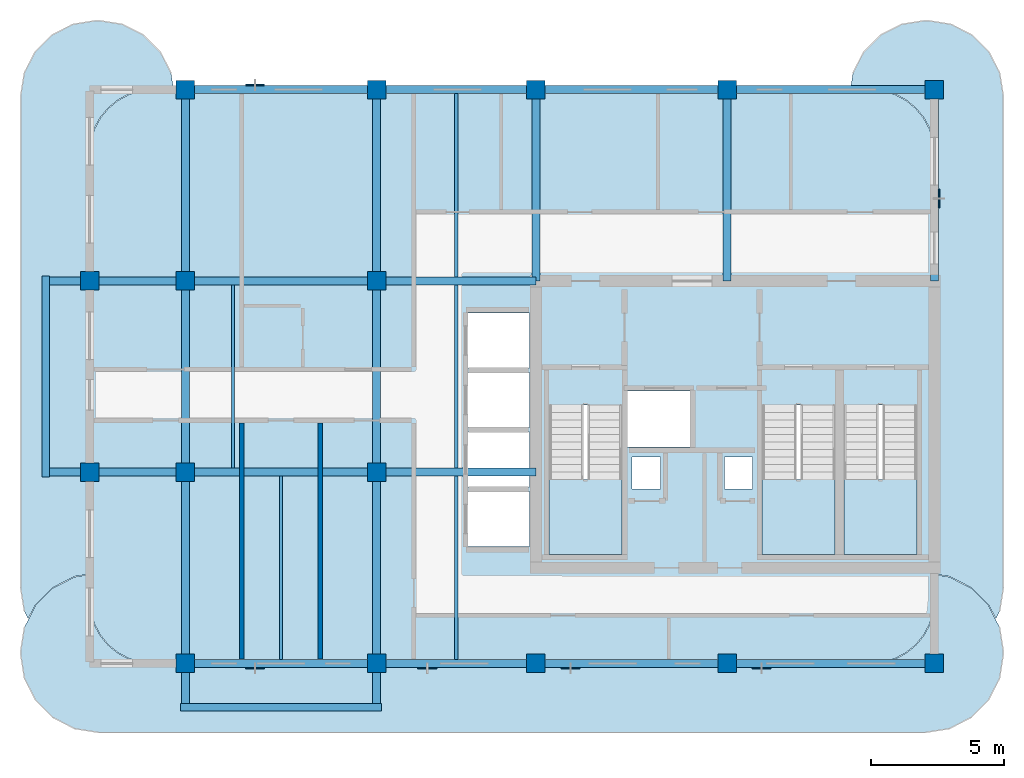
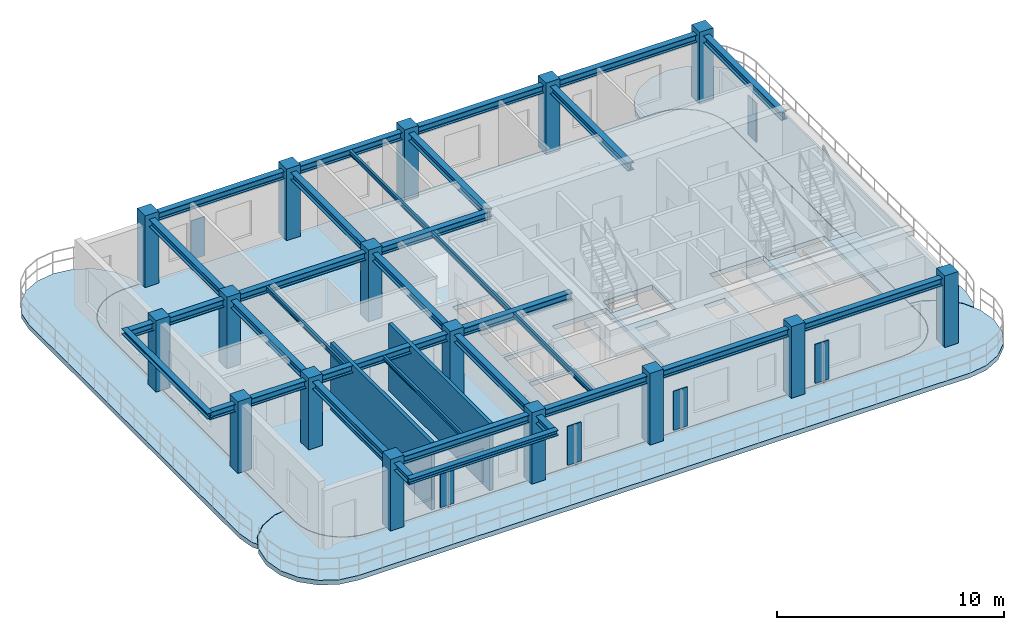
# One storey, part 1 of 8: 28 beams, 16 columns, 7 slabs, 6 plates, 2 walls, 3 elements without a shape of their own.
"""IFC4 building model written with IfcOpenShell, lengths in metres."""

import ifcopenshell
import ifcopenshell.guid

model = None  # the IFC model being written
_history = None  # IfcOwnerHistory: only IFC2X3 demands one
_inside = {}  # id of a spatial element -> (the spatial element, [elements in it])
_under = {}  # id of a project, library or spatial element -> (it, [spatial elements below it])
_declared = {}  # id of a project -> (the project, [libraries it declares])
_typed = {}  # id of a type object -> (the type object, [elements of that type])
_made_of = {}  # id of a material, layer set ... -> (it, [elements and type objects made of it])


def new_model(schema):
    """Start an empty IFC model of exactly this schema.

    Asked for "IFC4X3", IfcOpenShell would pick the latest addendum, in which some entities
    have other attributes; the version numbers below select the first issue.
    IFC2X3 requires an IfcOwnerHistory on every rooted entity: one is made here for all.
    """
    global model, _history
    if schema == "IFC4X3":
        model = ifcopenshell.file(schema_version=(4, 3, 0, 0))
    else:
        model = ifcopenshell.file(schema=schema)
    _inside.clear()
    _under.clear()
    _declared.clear()
    _typed.clear()
    _made_of.clear()
    _history = None
    if model.schema == "IFC2X3":
        org = make("IfcOrganization", Name="unknown")
        user = make(
            "IfcPersonAndOrganization",
            ThePerson=make("IfcPerson", FamilyName="unknown"),
            TheOrganization=org,
        )
        app = make(
            "IfcApplication",
            ApplicationDeveloper=org,
            Version="unknown",
            ApplicationFullName="unknown",
            ApplicationIdentifier="unknown",
        )
        _history = make(
            "IfcOwnerHistory",
            OwningUser=user,
            OwningApplication=app,
            ChangeAction="ADDED",
            CreationDate=0,
        )
    return model


def make(cls, **values):
    """One entity of the class cls with the attributes given. An attribute that is None is left unset."""
    return model.create_entity(
        cls, **{name: value for name, value in values.items() if value is not None}
    )


def rooted(cls, **values):
    """An entity with a GlobalId (a new one), such as an element, a storey or a relation."""
    return make(cls, GlobalId=ifcopenshell.guid.new(), OwnerHistory=_history, **values)


def si_unit(unit_type, name, prefix=None):
    """IfcSIUnit, for example si_unit("LENGTHUNIT", "METRE", prefix="MILLI")."""
    return make("IfcSIUnit", UnitType=unit_type, Prefix=prefix, Name=name)


def derived_unit(unit_type, elements):
    """IfcDerivedUnit: a product of units, each with its exponent."""
    return make(
        "IfcDerivedUnit",
        Elements=[
            make("IfcDerivedUnitElement", Unit=unit, Exponent=power)
            for unit, power in elements
        ],
        UnitType=unit_type,
    )


def assignment(units):
    """IfcUnitAssignment: the units of a project."""
    return None if units is None else make("IfcUnitAssignment", Units=units)


def point(xyz):
    """IfcCartesianPoint."""
    return None if xyz is None else make("IfcCartesianPoint", Coordinates=xyz)


def direction(xyz):
    """IfcDirection."""
    return None if xyz is None else make("IfcDirection", DirectionRatios=xyz)


def frame(location, z_axis=None, x_axis=None):
    """IfcAxis2Placement3D, a coordinate frame: its origin and axes. An axis left out is left unset."""
    return make(
        "IfcAxis2Placement3D",
        Location=point(location),
        Axis=direction(z_axis),
        RefDirection=direction(x_axis),
    )


def frame_2d(location, x_axis=None):
    """IfcAxis2Placement2D, a coordinate frame in the plane: its origin and x axis."""
    return make(
        "IfcAxis2Placement2D", Location=point(location), RefDirection=direction(x_axis)
    )


def origin():
    """The frame at (0, 0, 0) with its axes left unset."""
    return frame((0.0, 0.0, 0.0))


def origin_2d():
    """The frame at (0, 0) in the plane with its x axis left unset."""
    return frame_2d((0.0, 0.0))


def place(relative_to, where):
    """IfcLocalPlacement: puts the frame where relative to a parent placement (None: the world)."""
    return make(
        "IfcLocalPlacement", PlacementRelTo=relative_to, RelativePlacement=where
    )


def context(
    kind, dimensions, precision=None, world=None, true_north=None, identifier=None
):
    """IfcGeometricRepresentationContext, for example the 3D "Model" context."""
    return make(
        "IfcGeometricRepresentationContext",
        ContextIdentifier=identifier,
        ContextType=kind,
        CoordinateSpaceDimension=dimensions,
        Precision=precision,
        WorldCoordinateSystem=world,
        TrueNorth=true_north,
    )


def subcontext(parent, identifier, kind, view, scale=None):
    """IfcGeometricRepresentationSubContext, for example "Body" below "Model"."""
    return make(
        "IfcGeometricRepresentationSubContext",
        ContextIdentifier=identifier,
        ContextType=kind,
        ParentContext=parent,
        TargetScale=scale,
        TargetView=view,
    )


def project(units=None, contexts=None):
    """IfcProject with its units and contexts."""
    return rooted(
        "IfcProject",
        Name="project",
        RepresentationContexts=contexts,
        UnitsInContext=assignment(units),
    )


def spatial(cls, under=None, at=None, **own):
    """A site, building, storey or space (cls), placed at a placement, below another one or the project."""
    s = rooted(cls, ObjectPlacement=at, **own)
    if under is not None:
        _under.setdefault(under.id(), (under, []))[1].append(s)
    return s


def polyline(points):
    """IfcPolyline through the points."""
    return make("IfcPolyline", Points=[point(p) for p in points])


def profile(cls, at=None, kind="AREA", **sizes):
    """A parametric profile (cls). Its sizes go by their IFC names, for example OverallWidth=200.0."""
    return make(cls, ProfileType=kind, Position=at, **sizes)


def rectangle(**sizes):
    """IfcRectangleProfileDef."""
    return profile("IfcRectangleProfileDef", **sizes)


def i_section(**sizes):
    """IfcIShapeProfileDef."""
    return profile("IfcIShapeProfileDef", **sizes)


def outline(outer, holes=None, kind="AREA"):
    """IfcArbitraryClosedProfileDef: a profile drawn as a closed curve; with holes, ...WithVoids."""
    if holes is None:
        return make("IfcArbitraryClosedProfileDef", ProfileType=kind, OuterCurve=outer)
    return make(
        "IfcArbitraryProfileDefWithVoids",
        ProfileType=kind,
        OuterCurve=outer,
        InnerCurves=holes,
    )


def extrude(swept, where, along, depth):
    """IfcExtrudedAreaSolid: the profile swept, set in the frame where, extruded along a direction by depth."""
    return make(
        "IfcExtrudedAreaSolid",
        SweptArea=swept,
        Position=where,
        ExtrudedDirection=direction(along),
        Depth=depth,
    )


def shape(context_of_items, identifier, shape_type, items):
    """IfcShapeRepresentation: the items that make up one representation, for example the "Body"."""
    return make(
        "IfcShapeRepresentation",
        ContextOfItems=context_of_items,
        RepresentationIdentifier=identifier,
        RepresentationType=shape_type,
        Items=items,
    )


def source(mapping_origin, context_of_items, identifier, shape_type, items):
    """IfcRepresentationMap: a shape defined once, which mapped items show again and again."""
    return make(
        "IfcRepresentationMap",
        MappingOrigin=mapping_origin,
        MappedRepresentation=shape(context_of_items, identifier, shape_type, items),
    )


def transform(
    local_origin,
    x_axis=None,
    y_axis=None,
    z_axis=None,
    scale=None,
    scale2=None,
    scale3=None,
    uniform=True,
):
    """IfcCartesianTransformationOperator3D, or its non-uniform kind. x_axis, y_axis, z_axis: its Axis1, 2, 3."""
    if uniform:
        return make(
            "IfcCartesianTransformationOperator3D",
            Axis1=direction(x_axis),
            Axis2=direction(y_axis),
            LocalOrigin=point(local_origin),
            Scale=scale,
            Axis3=direction(z_axis),
        )
    return make(
        "IfcCartesianTransformationOperator3DnonUniform",
        Axis1=direction(x_axis),
        Axis2=direction(y_axis),
        LocalOrigin=point(local_origin),
        Scale=scale,
        Axis3=direction(z_axis),
        Scale2=scale2,
        Scale3=scale3,
    )


def mapped(mapping_source, mapping_target):
    """IfcMappedItem: shows the shape of a source again, moved by a transform."""
    return make(
        "IfcMappedItem", MappingSource=mapping_source, MappingTarget=mapping_target
    )


def material(Name=None, Category=None):
    """IfcMaterial."""
    return make("IfcMaterial", Name=Name, Category=Category)


def layer(
    of_material, thickness, ventilated=None, Name=None, Category=None, Priority=None
):
    """IfcMaterialLayer: one layer of a wall or slab, of a material (None: an air gap)."""
    return make(
        "IfcMaterialLayer",
        Material=of_material,
        LayerThickness=thickness,
        IsVentilated=ventilated,
        Name=Name,
        Category=Category,
        Priority=Priority,
    )


def layer_set(layers, Name=None):
    """IfcMaterialLayerSet."""
    return make("IfcMaterialLayerSet", MaterialLayers=layers, LayerSetName=Name)


def material_profile(
    of_material, cross_section, Name=None, Category=None, Priority=None
):
    """IfcMaterialProfile: a cross section and its material."""
    return make(
        "IfcMaterialProfile",
        Name=Name,
        Material=of_material,
        Profile=cross_section,
        Priority=Priority,
        Category=Category,
    )


def profile_set(profiles, Name=None, composite=None):
    """IfcMaterialProfileSet."""
    return make(
        "IfcMaterialProfileSet",
        Name=Name,
        MaterialProfiles=profiles,
        CompositeProfile=composite,
    )


def made_of(thing, what):
    """Note that an element or type object is made of a material, layer set ...; save() writes the relation."""
    if what is not None:
        _made_of.setdefault(what.id(), (what, []))[1].append(thing)
    return thing


def type_object(cls, material=None, **own):
    """A type object (cls), such as IfcWallType, which elements share."""
    return made_of(rooted(cls, **own), material)


def type_shapes(of_type, sources):
    """Give a type object the sources (RepresentationMaps) that its elements show as mapped items."""
    of_type.RepresentationMaps = sources


def element(
    cls,
    number,
    at=None,
    inside=None,
    cuts=None,
    type_object=None,
    material=None,
    context=None,
    identifier="Body",
    shape_type=None,
    held_by="IfcProductDefinitionShape",
    body=None,
    shapes=None,
    **own,
):
    """One element of the class cls, such as IfcWall. Its Tag is "e" and its number.

    at: its placement. inside: the storey or other place that contains it. cuts: it is an
    opening in that element (IfcRelVoidsElement). A single representation is given by context,
    identifier, shape_type and body (its items); several are given by shapes. held_by: the class
    of the entity that holds the representations. save() writes the other relations.
    """
    e = rooted(cls, Tag="e%d" % number, ObjectPlacement=at, **own)
    if body is not None:
        shapes = [shape(context, identifier, shape_type, body)]
    if shapes is not None:
        e.Representation = make(held_by, Representations=shapes)
    if inside is not None:
        _inside.setdefault(inside.id(), (inside, []))[1].append(e)
    if cuts is not None:
        rooted(
            "IfcRelVoidsElement", RelatingBuildingElement=cuts, RelatedOpeningElement=e
        )
    if type_object is not None:
        _typed.setdefault(type_object.id(), (type_object, []))[1].append(e)
    return made_of(e, material)


def aggregate(whole, parts):
    """IfcRelAggregates: a whole, such as a stair, and the parts it consists of."""
    return rooted("IfcRelAggregates", RelatingObject=whole, RelatedObjects=parts)


def save(model, path):
    """Write the relations noted so far, then the file.

    IfcRelAggregates (storeys below a building ...), IfcRelContainedInSpatialStructure (elements
    in a storey), IfcRelDefinesByType, IfcRelAssociatesMaterial and IfcRelDeclares: one each for
    every whole, place, type object, material and project.
    """
    for whole, parts in _under.values():
        aggregate(whole, parts)
    for where, things in _inside.values():
        rooted(
            "IfcRelContainedInSpatialStructure",
            RelatedElements=things,
            RelatingStructure=where,
        )
    for kind, things in _typed.values():
        rooted("IfcRelDefinesByType", RelatedObjects=things, RelatingType=kind)
    for what, things in _made_of.values():
        rooted("IfcRelAssociatesMaterial", RelatedObjects=things, RelatingMaterial=what)
    for by, libraries in _declared.values():
        rooted("IfcRelDeclares", RelatingContext=by, RelatedDefinitions=libraries)
    model.write(path)


model = new_model("IFC4")

# Units and contexts
model_context = context("Model", 3, precision=1e-05, world=origin(), true_north=direction((0.0, 1.0)))
body_context = subcontext(model_context, "Body", "Model", "MODEL_VIEW")
ifc_project = project(units=[si_unit("LENGTHUNIT", "METRE"), si_unit("AREAUNIT", "SQUARE_METRE"), si_unit("VOLUMEUNIT", "CUBIC_METRE"), si_unit("PLANEANGLEUNIT", "RADIAN"), si_unit("MASSUNIT", "GRAM", prefix="KILO"), si_unit("THERMODYNAMICTEMPERATUREUNIT", "KELVIN"), si_unit("POWERUNIT", "WATT"), derived_unit("THERMALTRANSMITTANCEUNIT", [(si_unit("POWERUNIT", "WATT"), 1), (si_unit("AREAUNIT", "SQUARE_METRE"), -1), (si_unit("THERMODYNAMICTEMPERATUREUNIT", "KELVIN"), -1)])], contexts=[model_context])

# Site, building, storey
site_placement = place(None, origin())
site = spatial("IfcSite", under=ifc_project, at=site_placement, CompositionType="ELEMENT")
building_placement = place(site_placement, origin())
building = spatial("IfcBuilding", under=site, at=building_placement, Name="Zahravan Archway Hotel and Residences", CompositionType="ELEMENT")
storey_placement = place(building_placement, frame((0.0, 0.0, 286.60009765625)))
storey = spatial("IfcBuildingStorey", under=building, at=storey_placement, Name="L72", CompositionType="ELEMENT", Elevation=286.60009765625)

# Columns
ifc_material_1 = material(Name="Concrete C50/60", Category="concrete")
ifc_material_profile_1 = material_profile(ifc_material_1, rectangle(XDim=0.699951171875, YDim=0.699951171875, at=origin_2d()), Name="RC-COL-700x700", Category="concrete")
ifc_profile_set_1 = profile_set([ifc_material_profile_1], Name="Concrete C50/60")
column_type = type_object("IfcColumnType", Name="COL-RC-700", PredefinedType="COLUMN", material=ifc_profile_set_1)
shared_shape_1 = source(origin(), body_context, "Body", "SweptSolid", [
    extrude(rectangle(XDim=0.699951171875, YDim=0.699951171875, at=origin_2d()), origin(), (0.0, 0.0, 1.0), 3.849853515625),
])
type_shapes(column_type, [shared_shape_1])
for number, where, z_axis, x_axis, name in (
    (1, (21.60009765625, 0.0, 0.0), (0.0, 0.0, 1.0), (1.0, 0.0, 0.0), "L72 Column 4-A"),
    (2, (21.60009765625, 7.199951171875, 0.0), (0.0, 0.0, 1.0), (1.0, 0.0, 0.0), "L72 Column 4-B"),
    (3, (21.60009765625, 14.39990234375, 0.0), (0.0, 0.0, 1.0), (1.0, 0.0, 0.0), "L72 Column 4-C"),
    (4, (21.60009765625, 21.60009765625, 0.0), (0.0, 0.0, 1.0), (1.0, 0.0, 0.0), "L72 Column 4-D"),
    (5, (28.800048828125, 0.0, 0.0), (0.0, 0.0, 1.0), (1.0, 0.0, 0.0), "L72 Column 5-A"),
    (6, (28.800048828125, 7.199951171875, 0.0), (0.0, 0.0, 1.0), (1.0, 0.0, 0.0), "L72 Column 5-B"),
    (7, (28.800048828125, 14.39990234375, 0.0), (0.0, 0.0, 1.0), (1.0, 0.0, 0.0), "L72 Column 5-C"),
    (8, (28.800048828125, 21.60009765625, 0.0), (0.0, 0.0, 1.0), (1.0, 0.0, 0.0), "L72 Column 5-D"),
    (9, (34.800048828125, 0.0, 0.0), (0.0, 0.0, 1.0), (1.0, 0.0, 0.0), "L72 Column 6-A"),
    (10, (34.800048828125, 21.60009765625, 0.0), (0.0, 0.0, 1.0), (1.0, 0.0, 0.0), "L72 Column 6-D"),
    (11, (42.0, 0.0, 0.0), (0.0, 0.0, 1.0), (1.0, 0.0, 0.0), "L72 Column 7-A"),
    (12, (42.0, 21.60009765625, 0.0), (0.0, 0.0, 1.0), (1.0, 0.0, 0.0), "L72 Column 7-D"),
    (13, (49.800048828125, 0.0, 0.0), (0.0, 0.0, 1.0), (1.0, 0.0, 0.0), "L72 Column 8-A"),
    (14, (49.800048828125, 21.60009765625, 0.0), (0.0, 0.0, 1.0), (1.0, 0.0, 0.0), "L72 Column 8-D"),
    (15, (18.0, 7.199951171875, 0.0), (0.0, 0.0, 1.0), (1.0, 0.0, 0.0), "L72 Column 3W-B"),
    (16, (18.0, 14.39990234375, 0.0), (0.0, 0.0, 1.0), (1.0, 0.0, 0.0), "L72 Column 3W-C"),
):
    element("IfcColumn", number, at=place(storey_placement, frame(where, z_axis=z_axis, x_axis=x_axis)), inside=storey, type_object=column_type, Name=name, PredefinedType="COLUMN", context=body_context, shape_type="MappedRepresentation", body=[
        mapped(shared_shape_1, transform((0.0, 0.0, 0.0), scale=1.0)),
    ])

# Beams
ifc_material_2 = material(Name="Structural Steel S355JR", Category="steel")
ifc_material_profile_2 = material_profile(ifc_material_2, i_section(OverallWidth=0.280029296875, OverallDepth=0.280029296875, WebThickness=0.010498046875, FlangeThickness=0.01806640625, FilletRadius=0.02392578125, at=origin_2d()), Name="HEB 280", Category="steel")
ifc_profile_set_2 = profile_set([ifc_material_profile_2], Name="Structural Steel S355JR")
beam_type_1 = type_object("IfcBeamType", Name="BM-SPN-HEB280", PredefinedType="SPANDREL", material=ifc_profile_set_2)
shared_shape_2 = source(origin(), body_context, "Body", "SweptSolid", [
    extrude(i_section(OverallWidth=0.280029296875, OverallDepth=0.280029296875, WebThickness=0.010498046875, FlangeThickness=0.01806640625, FilletRadius=0.02392578125, at=origin_2d()), origin(), (0.0, 0.0, 1.0), 7.56005859375),
])
type_shapes(beam_type_1, [shared_shape_2])
for number, where, z_axis, x_axis, name in (
    (17, (16.35009765625, 7.02001953125, 3.4599609375), (0.0, 1.0, 0.0), (-1.0, 0.0, 0.0), "L73 WA Balcony Edge Spandrel"),
    (18, (21.419921875, -1.64990234375, 3.4599609375), (1.0, 0.0, 0.0), (0.0, 1.0, 0.0), "L73 SA Balcony Edge Spandrel"),
):
    element("IfcBeam", number, at=place(storey_placement, frame(where, z_axis=z_axis, x_axis=x_axis)), inside=storey, type_object=beam_type_1, Name=name, PredefinedType="SPANDREL", context=body_context, shape_type="MappedRepresentation", body=[
        mapped(shared_shape_2, transform((0.0, 0.0, 0.0), scale=1.0)),
    ])
ifc_material_profile_3 = material_profile(ifc_material_2, i_section(OverallWidth=0.300048828125, OverallDepth=0.39990234375, WebThickness=0.013427734375, FlangeThickness=0.02392578125, FilletRadius=0.027099609375, at=origin_2d()), Name="HEB 400", Category="steel")
ifc_profile_set_3 = profile_set([ifc_material_profile_3], Name="Structural Steel S355JR")
beam_type_2 = type_object("IfcBeamType", Name="BM-PRI-HEB400", PredefinedType="BEAM", material=ifc_profile_set_3)
shared_shape_3 = source(origin(), body_context, "Body", "SweptSolid", [
    extrude(i_section(OverallWidth=0.300048828125, OverallDepth=0.39990234375, WebThickness=0.013427734375, FlangeThickness=0.02392578125, FilletRadius=0.027099609375, at=origin_2d()), origin(), (0.0, 0.0, 1.0), 7.199951171875),
])
type_shapes(beam_type_2, [shared_shape_3])
for number, where, z_axis, x_axis, name in (
    (19, (21.60009765625, 0.0, 3.39990234375), (1.0, 0.0, 0.0), (0.0, 1.0, 0.0), "L72 Primary Girder EW-01"),
    (20, (34.800048828125, 0.0, 3.39990234375), (1.0, 0.0, 0.0), (0.0, 1.0, 0.0), "L72 Primary Girder EW-03"),
    (21, (21.60009765625, 21.60009765625, 3.39990234375), (1.0, 0.0, 0.0), (0.0, 1.0, 0.0), "L72 Primary Girder EW-09"),
    (22, (34.800048828125, 21.60009765625, 3.39990234375), (1.0, 0.0, 0.0), (0.0, 1.0, 0.0), "L72 Primary Girder EW-11"),
    (23, (21.60009765625, 7.199951171875, 3.39990234375), (0.0, 1.0, 0.0), (-1.0, 0.0, 0.0), "L72 Primary Girder NS-14"),
    (24, (28.800048828125, 7.199951171875, 3.39990234375), (0.0, 1.0, 0.0), (-1.0, 0.0, 0.0), "L72 Primary Girder NS-17"),
):
    element("IfcBeam", number, at=place(storey_placement, frame(where, z_axis=z_axis, x_axis=x_axis)), inside=storey, type_object=beam_type_2, Name=name, PredefinedType="BEAM", context=body_context, shape_type="MappedRepresentation", body=[
        mapped(shared_shape_3, transform((0.0, 0.0, 0.0), scale=1.0)),
    ])
shared_shape_4 = source(origin(), body_context, "Body", "SweptSolid", [
    extrude(i_section(OverallWidth=0.300048828125, OverallDepth=0.39990234375, WebThickness=0.013427734375, FlangeThickness=0.02392578125, FilletRadius=0.027099609375, at=origin_2d()), origin(), (0.0, 0.0, 1.0), 6.0),
])
for number, where, z_axis, x_axis, name in (
    (25, (28.800048828125, 0.0, 3.39990234375), (1.0, 0.0, 0.0), (0.0, 1.0, 0.0), "L72 Primary Girder EW-02"),
    (26, (28.800048828125, 7.199951171875, 3.39990234375), (1.0, 0.0, 0.0), (0.0, 1.0, 0.0), "L72 Primary Girder EW-06"),
    (27, (28.800048828125, 14.39990234375, 3.39990234375), (1.0, 0.0, 0.0), (0.0, 1.0, 0.0), "L72 Primary Girder EW-08"),
    (28, (28.800048828125, 21.60009765625, 3.39990234375), (1.0, 0.0, 0.0), (0.0, 1.0, 0.0), "L72 Primary Girder EW-10"),
):
    element("IfcBeam", number, at=place(storey_placement, frame(where, z_axis=z_axis, x_axis=x_axis)), inside=storey, type_object=beam_type_2, Name=name, PredefinedType="BEAM", context=body_context, shape_type="MappedRepresentation", body=[
        mapped(shared_shape_4, transform((0.0, 0.0, 0.0), scale=1.0)),
    ])
shared_shape_5 = source(origin(), body_context, "Body", "SweptSolid", [
    extrude(i_section(OverallWidth=0.300048828125, OverallDepth=0.39990234375, WebThickness=0.013427734375, FlangeThickness=0.02392578125, FilletRadius=0.027099609375, at=origin_2d()), origin(), (0.0, 0.0, 1.0), 7.800048828125),
])
for number, where, z_axis, x_axis, name in (
    (29, (42.0, 0.0, 3.39990234375), (1.0, 0.0, 0.0), (0.0, 1.0, 0.0), "L72 Primary Girder EW-04"),
    (30, (42.0, 21.60009765625, 3.39990234375), (1.0, 0.0, 0.0), (0.0, 1.0, 0.0), "L72 Primary Girder EW-12"),
):
    element("IfcBeam", number, at=place(storey_placement, frame(where, z_axis=z_axis, x_axis=x_axis)), inside=storey, type_object=beam_type_2, Name=name, PredefinedType="BEAM", context=body_context, shape_type="MappedRepresentation", body=[
        mapped(shared_shape_5, transform((0.0, 0.0, 0.0), scale=1.0)),
    ])
shared_shape_6 = source(origin(), body_context, "Body", "SweptSolid", [
    extrude(i_section(OverallWidth=0.300048828125, OverallDepth=0.39990234375, WebThickness=0.013427734375, FlangeThickness=0.02392578125, FilletRadius=0.027099609375, at=origin_2d()), origin(), (0.0, 0.0, 1.0), 7.2001953125),
])
for number, where, z_axis, x_axis, name in (
    (31, (21.60009765625, 14.39990234375, 3.39990234375), (0.0, 1.0, 0.0), (-1.0, 0.0, 0.0), "L72 Primary Girder NS-15"),
    (32, (28.800048828125, 14.39990234375, 3.39990234375), (0.0, 1.0, 0.0), (-1.0, 0.0, 0.0), "L72 Primary Girder NS-18"),
    (33, (34.800048828125, 14.39990234375, 3.39990234375), (0.0, 1.0, 0.0), (-1.0, 0.0, 0.0), "L72 Primary Girder NS-19"),
    (34, (42.0, 14.39990234375, 3.39990234375), (0.0, 1.0, 0.0), (-1.0, 0.0, 0.0), "L72 Primary Girder NS-20"),
    (35, (49.800048828125, 14.39990234375, 3.39990234375), (0.0, 1.0, 0.0), (-1.0, 0.0, 0.0), "L72 Primary Girder NS-21"),
):
    element("IfcBeam", number, at=place(storey_placement, frame(where, z_axis=z_axis, x_axis=x_axis)), inside=storey, type_object=beam_type_2, Name=name, PredefinedType="BEAM", context=body_context, shape_type="MappedRepresentation", body=[
        mapped(shared_shape_6, transform((0.0, 0.0, 0.0), scale=1.0)),
    ])
ifc_material_profile_4 = material_profile(ifc_material_2, i_section(OverallWidth=0.1201171875, OverallDepth=0.239990234375, WebThickness=0.006103515625, FlangeThickness=0.009765625, FilletRadius=0.014892578125, at=origin_2d()), Name="IPE 240", Category="steel")
ifc_profile_set_4 = profile_set([ifc_material_profile_4], Name="Structural Steel S355JR")
beam_type_3 = type_object("IfcBeamType", Name="BM-JST-IPE240", PredefinedType="JOIST", material=ifc_profile_set_4)
shared_shape_7 = source(origin(), body_context, "Body", "SweptSolid", [
    extrude(i_section(OverallWidth=0.1201171875, OverallDepth=0.239990234375, WebThickness=0.006103515625, FlangeThickness=0.009765625, FilletRadius=0.014892578125, at=origin_2d()), origin(), (0.0, 0.0, 1.0), 6.904052734375),
])
type_shapes(beam_type_3, [shared_shape_7])
for number, where, z_axis, x_axis, name in (
    (36, (25.199951171875, 0.14794921875, 3.47998046875), (0.0, 1.0, 0.0), (-1.0, 0.0, 0.0), "L72 Composite Floor Joist 01"),
    (37, (31.800048828125, 0.14794921875, 3.47998046875), (0.0, 1.0, 0.0), (-1.0, 0.0, 0.0), "L72 Composite Floor Joist 02"),
    (38, (23.39990234375, 7.347900390625, 3.47998046875), (0.0, 1.0, 0.0), (-1.0, 0.0, 0.0), "L72 Composite Floor Joist 03"),
    (39, (31.800048828125, 7.347900390625, 3.47998046875), (0.0, 1.0, 0.0), (-1.0, 0.0, 0.0), "L72 Composite Floor Joist 04"),
):
    element("IfcBeam", number, at=place(storey_placement, frame(where, z_axis=z_axis, x_axis=x_axis)), inside=storey, type_object=beam_type_3, Name=name, PredefinedType="JOIST", context=body_context, shape_type="MappedRepresentation", body=[
        mapped(shared_shape_7, transform((0.0, 0.0, 0.0), scale=1.0)),
    ])
shared_shape_8 = source(origin(), body_context, "Body", "SweptSolid", [
    extrude(i_section(OverallWidth=0.1201171875, OverallDepth=0.239990234375, WebThickness=0.006103515625, FlangeThickness=0.009765625, FilletRadius=0.014892578125, at=origin_2d()), origin(), (0.0, 0.0, 1.0), 6.90380859375),
])
beam_placement = place(storey_placement, frame((31.800048828125, 14.548095703125, 3.47998046875), z_axis=(0.0, 1.0, 0.0), x_axis=(-1.0, 0.0, 0.0)))
element("IfcBeam", 40, at=beam_placement, inside=storey, type_object=beam_type_3, Name="L72 Composite Floor Joist 05", PredefinedType="JOIST", context=body_context, shape_type="MappedRepresentation", body=[
    mapped(shared_shape_8, transform((0.0, 0.0, 0.0), scale=1.0)),
])
shared_shape_9 = source(origin(), body_context, "Body", "SweptSolid", [
    extrude(i_section(OverallWidth=0.300048828125, OverallDepth=0.39990234375, WebThickness=0.013427734375, FlangeThickness=0.02392578125, FilletRadius=0.027099609375, at=origin_2d()), origin(), (0.0, 0.0, 1.0), 12.449951171875),
])
for number, where, z_axis, x_axis, name in (
    (41, (16.35009765625, 7.199951171875, 3.39990234375), (1.0, 0.0, 0.0), (0.0, 1.0, 0.0), "L72 Primary Girder EW-05"),
    (42, (16.35009765625, 14.39990234375, 3.39990234375), (1.0, 0.0, 0.0), (0.0, 1.0, 0.0), "L72 Primary Girder EW-07"),
):
    element("IfcBeam", number, at=place(storey_placement, frame(where, z_axis=z_axis, x_axis=x_axis)), inside=storey, type_object=beam_type_2, Name=name, PredefinedType="BEAM", context=body_context, shape_type="MappedRepresentation", body=[
        mapped(shared_shape_9, transform((0.0, 0.0, 0.0), scale=1.0)),
    ])
shared_shape_10 = source(origin(), body_context, "Body", "SweptSolid", [
    extrude(i_section(OverallWidth=0.300048828125, OverallDepth=0.39990234375, WebThickness=0.013427734375, FlangeThickness=0.02392578125, FilletRadius=0.027099609375, at=origin_2d()), origin(), (0.0, 0.0, 1.0), 8.849853515625),
])
for number, where, z_axis, x_axis, name in (
    (43, (21.60009765625, -1.64990234375, 3.39990234375), (0.0, 1.0, 0.0), (-1.0, 0.0, 0.0), "L72 Primary Girder NS-13"),
    (44, (28.800048828125, -1.64990234375, 3.39990234375), (0.0, 1.0, 0.0), (-1.0, 0.0, 0.0), "L72 Primary Girder NS-16"),
):
    element("IfcBeam", number, at=place(storey_placement, frame(where, z_axis=z_axis, x_axis=x_axis)), inside=storey, type_object=beam_type_2, Name=name, PredefinedType="BEAM", context=body_context, shape_type="MappedRepresentation", body=[
        mapped(shared_shape_10, transform((0.0, 0.0, 0.0), scale=1.0)),
    ])

# Slabs
ifc_material_3 = material(Name="Concrete C45/55", Category="concrete")
ifc_layer_1 = layer(ifc_material_3, 0.25, Name="Concrete C45/55", Category="concrete")
ifc_layer_set_1 = layer_set([ifc_layer_1], Name="Concrete C45/55")
slab_type_1 = type_object("IfcSlabType", Name="SLB-BALC-250", PredefinedType="FLOOR", material=ifc_layer_set_1)
slab_1_placement = place(storey_placement, frame((0.0, 0.0, -0.25)))
element("IfcSlab", 45, at=slab_1_placement, inside=storey, type_object=slab_type_1, Name="L72 Wing A South Rounded Balcony Band", PredefinedType="FLOOR", context=body_context, shape_type="SweptSolid", body=[
    extrude(outline(polyline([(50.361572265625, 3.255615234375), (51.18408203125, 2.836669921875), (51.836669921875, 2.18408203125), (52.255615234375, 1.361572265625), (52.39990234375, 0.449951171875), (52.39990234375, 0.35009765625), (52.255615234375, -0.5615234375), (51.836669921875, -1.384033203125), (51.18408203125, -2.03662109375), (50.361572265625, -2.45556640625), (49.449951171875, -2.60009765625), (18.35009765625, -2.60009765625), (17.4384765625, -2.45556640625), (16.615966796875, -2.03662109375), (15.96337890625, -1.384033203125), (15.54443359375, -0.5615234375), (15.39990234375, 0.35009765625), (15.39990234375, 0.449951171875), (15.54443359375, 1.361572265625), (15.96337890625, 2.18408203125), (16.615966796875, 2.836669921875), (17.4384765625, 3.255615234375), (17.97998046875, 3.34130859375), (17.97998046875, 2.39990234375), (17.97998046875, 2.39794921875), (18.026123046875, 1.9296875), (18.026611328125, 1.927978515625), (18.027099609375, 1.926025390625), (18.16357421875, 1.475830078125), (18.164306640625, 1.473876953125), (18.1650390625, 1.47216796875), (18.386962890625, 1.05712890625), (18.387939453125, 1.055419921875), (18.388916015625, 1.053955078125), (18.6875, 0.690185546875), (18.688720703125, 0.688720703125), (18.690185546875, 0.6875), (19.053955078125, 0.388916015625), (19.055419921875, 0.387939453125), (19.05712890625, 0.386962890625), (19.47216796875, 0.1650390625), (19.473876953125, 0.164306640625), (19.475830078125, 0.16357421875), (19.926025390625, 0.027099609375), (19.927978515625, 0.026611328125), (19.9296875, 0.026123046875), (20.39794921875, -0.02001953125), (20.39990234375, -0.02001953125), (47.39990234375, -0.02001953125), (47.402099609375, -0.02001953125), (47.8701171875, 0.026123046875), (47.8720703125, 0.026611328125), (47.8740234375, 0.027099609375), (48.32421875, 0.16357421875), (48.326171875, 0.164306640625), (48.327880859375, 0.1650390625), (48.742919921875, 0.386962890625), (48.744384765625, 0.387939453125), (48.74609375, 0.388916015625), (49.10986328125, 0.6875), (49.111083984375, 0.688720703125), (49.112548828125, 0.690185546875), (49.410888671875, 1.053955078125), (49.412109375, 1.055419921875), (49.4130859375, 1.05712890625), (49.635009765625, 1.47216796875), (49.6357421875, 1.473876953125), (49.636474609375, 1.475830078125), (49.77294921875, 1.926025390625), (49.7734375, 1.927978515625), (49.773681640625, 1.9296875), (49.81982421875, 2.39794921875), (49.820068359375, 2.39990234375), (49.820068359375, 3.34130859375), (50.361572265625, 3.255615234375)])), origin(), (0.0, 0.0, 1.0), 0.25),
])
slab_2_placement = place(storey_placement, frame((0.0, 0.0, -0.25)))
element("IfcSlab", 46, at=slab_2_placement, inside=storey, type_object=slab_type_1, Name="L72 Wing A East Rounded Balcony Band", PredefinedType="FLOOR", context=body_context, shape_type="SweptSolid", body=[
    extrude(outline(polyline([(46.739501953125, 22.230712890625), (47.144287109375, 23.025146484375), (47.77490234375, 23.65576171875), (48.5693359375, 24.060546875), (49.449951171875, 24.199951171875), (49.550048828125, 24.199951171875), (50.4306640625, 24.060546875), (51.22509765625, 23.65576171875), (51.855712890625, 23.025146484375), (52.260498046875, 22.230712890625), (52.39990234375, 21.35009765625), (52.39990234375, 2.85009765625), (52.260498046875, 1.96923828125), (52.114501953125, 1.6826171875), (51.8544921875, 2.193115234375), (51.853515625, 2.19482421875), (51.85205078125, 2.196533203125), (51.8505859375, 2.197998046875), (51.197998046875, 2.8505859375), (51.196533203125, 2.85205078125), (51.19482421875, 2.853515625), (51.193115234375, 2.8544921875), (50.37060546875, 3.2734375), (50.368896484375, 3.2744140625), (50.36669921875, 3.27490234375), (50.36474609375, 3.275390625), (49.822998046875, 3.361083984375), (49.8212890625, 3.361328125), (49.820068359375, 3.361328125), (49.820068359375, 19.199951171875), (49.81982421875, 19.201904296875), (49.773681640625, 19.670166015625), (49.7734375, 19.672119140625), (49.77294921875, 19.674072265625), (49.636474609375, 20.124267578125), (49.6357421875, 20.126220703125), (49.635009765625, 20.127685546875), (49.4130859375, 20.542724609375), (49.412109375, 20.54443359375), (49.410888671875, 20.546142578125), (49.112548828125, 20.909912109375), (49.111083984375, 20.9111328125), (49.10986328125, 20.91259765625), (48.74609375, 21.2109375), (48.744384765625, 21.212158203125), (48.742919921875, 21.213134765625), (48.327880859375, 21.434814453125), (48.326171875, 21.435791015625), (48.32421875, 21.436279296875), (47.8740234375, 21.572998046875), (47.8720703125, 21.573486328125), (47.8701171875, 21.57373046875), (47.402099609375, 21.619873046875), (47.39990234375, 21.6201171875), (46.642822265625, 21.6201171875), (46.739501953125, 22.230712890625)])), origin(), (0.0, 0.0, 1.0), 0.25),
])
slab_3_placement = place(storey_placement, frame((0.0, 0.0, -0.25)))
element("IfcSlab", 47, at=slab_3_placement, inside=storey, type_object=slab_type_1, Name="L72 Wing A West Rounded Balcony Band", PredefinedType="FLOOR", context=body_context, shape_type="SweptSolid", body=[
    extrude(outline(polyline([(15.53955078125, 1.96923828125), (15.39990234375, 2.85009765625), (15.39990234375, 21.35009765625), (15.53955078125, 22.230712890625), (15.9443359375, 23.025146484375), (16.57470703125, 23.65576171875), (17.369384765625, 24.060546875), (18.25, 24.199951171875), (18.35009765625, 24.199951171875), (19.230712890625, 24.060546875), (20.025146484375, 23.65576171875), (20.65576171875, 23.025146484375), (21.060546875, 22.230712890625), (21.1572265625, 21.6201171875), (20.39990234375, 21.6201171875), (20.39794921875, 21.619873046875), (19.9296875, 21.57373046875), (19.927978515625, 21.573486328125), (19.926025390625, 21.572998046875), (19.475830078125, 21.436279296875), (19.473876953125, 21.435791015625), (19.47216796875, 21.434814453125), (19.05712890625, 21.213134765625), (19.055419921875, 21.212158203125), (19.053955078125, 21.2109375), (18.690185546875, 20.91259765625), (18.688720703125, 20.9111328125), (18.6875, 20.909912109375), (18.388916015625, 20.546142578125), (18.387939453125, 20.54443359375), (18.386962890625, 20.542724609375), (18.1650390625, 20.127685546875), (18.164306640625, 20.126220703125), (18.16357421875, 20.124267578125), (18.027099609375, 19.674072265625), (18.026611328125, 19.672119140625), (18.026123046875, 19.670166015625), (17.97998046875, 19.201904296875), (17.97998046875, 19.199951171875), (17.97998046875, 3.361328125), (17.978759765625, 3.361328125), (17.976806640625, 3.361083984375), (17.435302734375, 3.275390625), (17.43310546875, 3.27490234375), (17.43115234375, 3.2744140625), (17.42919921875, 3.2734375), (16.60693359375, 2.8544921875), (16.60498046875, 2.853515625), (16.603515625, 2.85205078125), (16.601806640625, 2.8505859375), (15.94921875, 2.197998046875), (15.947998046875, 2.196533203125), (15.946533203125, 2.19482421875), (15.945556640625, 2.193115234375), (15.685546875, 1.6826171875), (15.53955078125, 1.96923828125)])), origin(), (0.0, 0.0, 1.0), 0.25),
])
ifc_layer_2 = layer(ifc_material_3, 0.25, Name="Concrete C45/55", Category="concrete")
ifc_layer_set_2 = layer_set([ifc_layer_2], Name="Concrete C45/55")
slab_type_2 = type_object("IfcSlabType", Name="SLB-FLR-250", PredefinedType="FLOOR", material=ifc_layer_set_2)
slab_4_placement = place(storey_placement, frame((0.0, 0.0, -0.25)))
element("IfcSlab", 48, at=slab_4_placement, inside=storey, type_object=slab_type_2, Name="L72 Floor Slab WA", PredefinedType="FLOOR", context=body_context, shape_type="SweptSolid", body=[
    extrude(outline(polyline([(47.39990234375, 0.0), (47.8681640625, 0.046142578125), (48.318359375, 0.1826171875), (48.7333984375, 0.404541015625), (49.09716796875, 0.702880859375), (49.3955078125, 1.066650390625), (49.6171875, 1.481689453125), (49.75390625, 1.931884765625), (49.800048828125, 2.39990234375), (49.800048828125, 19.199951171875), (49.75390625, 19.668212890625), (49.6171875, 20.118408203125), (49.3955078125, 20.533447265625), (49.09716796875, 20.897216796875), (48.7333984375, 21.195556640625), (48.318359375, 21.417236328125), (47.8681640625, 21.553955078125), (47.39990234375, 21.60009765625), (20.39990234375, 21.60009765625), (19.931884765625, 21.553955078125), (19.481689453125, 21.417236328125), (19.066650390625, 21.195556640625), (18.702880859375, 20.897216796875), (18.404541015625, 20.533447265625), (18.1826171875, 20.118408203125), (18.046142578125, 19.668212890625), (18.0, 19.199951171875), (18.0, 2.39990234375), (18.046142578125, 1.931884765625), (18.1826171875, 1.481689453125), (18.404541015625, 1.066650390625), (18.702880859375, 0.702880859375), (19.066650390625, 0.404541015625), (19.481689453125, 0.1826171875), (19.931884765625, 0.046142578125), (20.39990234375, 0.0), (47.39990234375, 0.0)]), holes=[polyline([(35.300048828125, 9.72998046875), (35.300048828125, 4.10009765625), (38.0400390625, 4.10009765625), (38.0400390625, 9.72998046875), (35.300048828125, 9.72998046875)]), polyline([(43.320068359375, 9.72998046875), (43.320068359375, 4.10009765625), (46.06005859375, 4.10009765625), (46.06005859375, 9.72998046875), (43.320068359375, 9.72998046875)]), polyline([(46.39990234375, 9.72998046875), (46.39990234375, 4.10009765625), (49.139892578125, 4.10009765625), (49.139892578125, 9.72998046875), (46.39990234375, 9.72998046875)]), polyline([(38.179931640625, 8.14990234375), (40.699951171875, 8.14990234375), (40.699951171875, 10.25), (38.179931640625, 10.25), (38.179931640625, 8.14990234375)]), polyline([(32.25, 4.39990234375), (34.550048828125, 4.39990234375), (34.550048828125, 6.47998046875), (32.25, 6.47998046875), (32.25, 4.39990234375)]), polyline([(32.25, 6.639892578125), (34.550048828125, 6.639892578125), (34.550048828125, 8.719970703125), (32.25, 8.719970703125), (32.25, 6.639892578125)]), polyline([(32.25, 8.8798828125), (34.550048828125, 8.8798828125), (34.550048828125, 10.9599609375), (32.25, 10.9599609375), (32.25, 8.8798828125)]), polyline([(32.25, 11.1201171875), (34.550048828125, 11.1201171875), (34.550048828125, 13.199951171875), (32.25, 13.199951171875), (32.25, 11.1201171875)]), polyline([(38.419921875, 6.56005859375), (39.5, 6.56005859375), (39.5, 7.780029296875), (38.419921875, 7.780029296875), (38.419921875, 6.56005859375)]), polyline([(41.89990234375, 6.56005859375), (42.9599609375, 6.56005859375), (42.9599609375, 7.780029296875), (41.89990234375, 7.780029296875), (41.89990234375, 6.56005859375)])]), origin(), (0.0, 0.0, 1.0), 0.25),
])

# Stair, slab
stair_type = type_object("IfcStairType", Name="STR-CORE-1300", PredefinedType="HALF_TURN_STAIR", material=ifc_material_1)
stair_1_placement = place(storey_placement, origin())
stair_1 = element("IfcStair", 49, at=stair_1_placement, inside=storey, type_object=stair_type, Name="L72 Core A Exit Stair 1", PredefinedType="HALF_TURN_STAIR")
ifc_layer_3 = layer(ifc_material_1, 0.199951171875, Name="Concrete C50/60", Category="concrete")
ifc_layer_set_3 = layer_set([ifc_layer_3], Name="Concrete C50/60")
slab_type_3 = type_object("IfcSlabType", Name="SLB-LND-200", PredefinedType="LANDING", material=ifc_layer_set_3)
slab_5_placement = place(storey_placement, frame((0.0, 0.0, 1.724853515625)))
slab_5 = element("IfcSlab", 50, at=slab_5_placement, type_object=slab_type_3, Name="ST-A1 landing 1", PredefinedType="LANDING", context=body_context, shape_type="SweptSolid", body=[
    extrude(outline(polyline([(35.300048828125, 6.929931640625), (35.300048828125, 4.10009765625), (38.0400390625, 4.10009765625), (38.0400390625, 6.929931640625), (35.300048828125, 6.929931640625)])), origin(), (0.0, 0.0, 1.0), 0.199951171875),
])
aggregate(stair_1, [slab_5])

stair_2_placement = place(storey_placement, origin())
stair_2 = element("IfcStair", 51, at=stair_2_placement, inside=storey, type_object=stair_type, Name="L72 Core A Exit Stair 2", PredefinedType="HALF_TURN_STAIR")
slab_6_placement = place(storey_placement, frame((0.0, 0.0, 1.724853515625)))
slab_6 = element("IfcSlab", 52, at=slab_6_placement, type_object=slab_type_3, Name="ST-A2 landing 1", PredefinedType="LANDING", context=body_context, shape_type="SweptSolid", body=[
    extrude(outline(polyline([(43.320068359375, 6.929931640625), (43.320068359375, 4.10009765625), (46.06005859375, 4.10009765625), (46.06005859375, 6.929931640625), (43.320068359375, 6.929931640625)])), origin(), (0.0, 0.0, 1.0), 0.199951171875),
])
aggregate(stair_2, [slab_6])

stair_3_placement = place(storey_placement, origin())
stair_3 = element("IfcStair", 53, at=stair_3_placement, inside=storey, type_object=stair_type, Name="L72 Core A Exit Stair 3", PredefinedType="HALF_TURN_STAIR")
slab_7_placement = place(storey_placement, frame((0.0, 0.0, 1.724853515625)))
slab_7 = element("IfcSlab", 54, at=slab_7_placement, type_object=slab_type_3, Name="ST-A3 landing 1", PredefinedType="LANDING", context=body_context, shape_type="SweptSolid", body=[
    extrude(outline(polyline([(46.39990234375, 6.929931640625), (46.39990234375, 4.10009765625), (49.139892578125, 4.10009765625), (49.139892578125, 6.929931640625), (46.39990234375, 6.929931640625)])), origin(), (0.0, 0.0, 1.0), 0.199951171875),
])
aggregate(stair_3, [slab_7])

# Plates
ifc_material_4 = material(Name="Perforated Cast Bronze Jali Lattice")
ifc_layer_4 = layer(ifc_material_4, 0.044921875, Name="Perforated Cast Bronze Jali Lattice")
ifc_layer_set_4 = layer_set([ifc_layer_4], Name="Perforated Cast Bronze Jali Lattice")
plate_type = type_object("IfcPlateType", Name="PLT-JALI-BAY", PredefinedType="USERDEFINED", material=ifc_layer_set_4)
shared_shape_11 = source(origin(), body_context, "Body", "SweptSolid", [
    extrude(rectangle(XDim=0.699951171875, YDim=0.044921875, at=origin_2d()), origin(), (0.0, 0.0, 1.0), 2.10009765625),
])
type_shapes(plate_type, [shared_shape_11])
for number, where, z_axis, x_axis, name in (
    (55, (24.22802734375, -0.177978515625, 0.249755859375), (0.0, 0.0, 1.0), (1.0, 0.0, 0.0), "L72 Perforated Bronze Jali Pier Screen 01"),
    (56, (30.7080078125, -0.177978515625, 0.249755859375), (0.0, 0.0, 1.0), (1.0, 0.0, 0.0), "L72 Perforated Bronze Jali Pier Screen 02"),
    (57, (36.10009765625, -0.177978515625, 0.249755859375), (0.0, 0.0, 1.0), (1.0, 0.0, 0.0), "L72 Perforated Bronze Jali Pier Screen 03"),
    (58, (43.300048828125, -0.177978515625, 0.249755859375), (0.0, 0.0, 1.0), (1.0, 0.0, 0.0), "L72 Perforated Bronze Jali Pier Screen 04"),
    (59, (49.97802734375, 17.509033203125, 0.249755859375), (0.0, 0.0, 1.0), (0.0, 1.0, 0.0), "L72 Perforated Bronze Jali Pier Screen 05"),
    (60, (24.22802734375, 21.778076171875, 0.249755859375), (0.0, 0.0, 1.0), (1.0, 0.0, 0.0), "L72 Perforated Bronze Jali Pier Screen 06"),
):
    element("IfcPlate", number, at=place(storey_placement, frame(where, z_axis=z_axis, x_axis=x_axis)), inside=storey, type_object=plate_type, Name=name, ObjectType="SCREEN", PredefinedType="USERDEFINED", context=body_context, shape_type="MappedRepresentation", body=[
        mapped(shared_shape_11, transform((0.0, 0.0, 0.0), scale=1.0)),
    ])

# Walls
ifc_material_5 = material(Name="Acoustic Stud Partition")
ifc_layer_5 = layer(ifc_material_5, 0.169921875, Name="Acoustic Stud Partition")
ifc_layer_set_5 = layer_set([ifc_layer_5], Name="Acoustic Stud Partition")
wall_type = type_object("IfcWallType", Name="PW-UNIT-170", PredefinedType="PARTITIONING", material=ifc_layer_set_5)
for number, where, z_axis, x_axis, name in (
    (61, (23.719970703125, 0.16796875, 0.0), (0.0, 0.0, 1.0), (0.0, 1.0, 0.0), "L72 Partition WAS-SBK4A"),
    (62, (26.679931640625, 0.16796875, 0.0), (0.0, 0.0, 1.0), (0.0, 1.0, 0.0), "L72 Partition WAS-SBK4B"),
):
    element("IfcWall", number, at=place(storey_placement, frame(where, z_axis=z_axis, x_axis=x_axis)), inside=storey, type_object=wall_type, Name=name, PredefinedType="PARTITIONING", context=body_context, shape_type="SweptSolid", body=[
        extrude(rectangle(XDim=8.89208984375, YDim=0.169921875, at=frame_2d((4.446044921875, 0.0))), origin(), (0.0, 0.0, 1.0), 3.599853515625),
    ])

save(model, "model.ifc")
